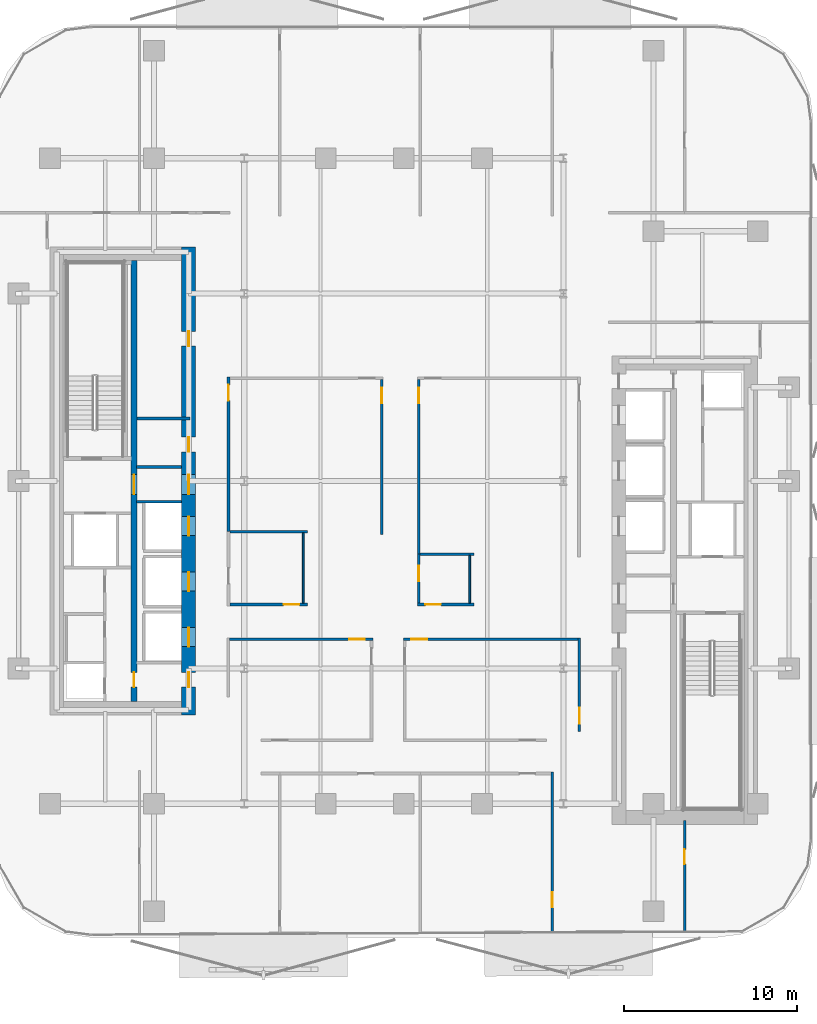
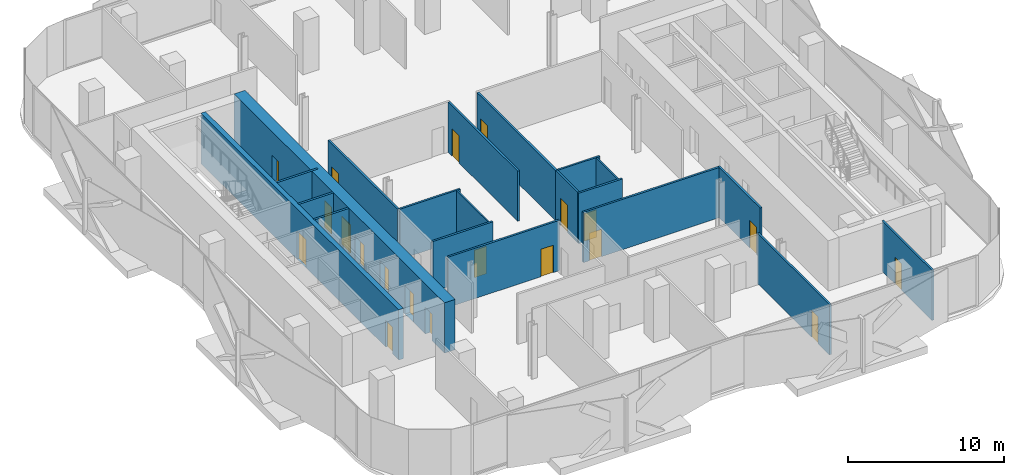
# One storey, part 4 of 15: 20 doors, 20 walls, 20 openings.
"""IFC4 building model written with IfcOpenShell, lengths in metres."""

from ifc_helpers import new_model, si_unit, direction, frame, frame_2d, origin, place, context, subcontext, project, spatial, rectangle, extrude, material, layer, layer_set, type_object, element, fill, save


model = new_model("IFC4")

# Units and contexts
model_context = context("Model", 3, precision=1e-05, world=origin(), true_north=direction((0.0, 1.0)))
body_context = subcontext(model_context, "Body", "Model", "MODEL_VIEW")
ifc_project = project(units=[si_unit("LENGTHUNIT", "METRE"), si_unit("AREAUNIT", "SQUARE_METRE"), si_unit("VOLUMEUNIT", "CUBIC_METRE"), si_unit("PLANEANGLEUNIT", "RADIAN"), si_unit("MASSUNIT", "GRAM", prefix="KILO")], contexts=[model_context])

# Site, building, storey
site_placement = place(None, origin())
site = spatial("IfcSite", under=ifc_project, at=site_placement, CompositionType="ELEMENT")
building_placement = place(site_placement, origin())
building = spatial("IfcBuilding", under=site, at=building_placement, Name="Khairoan Windgate Tower", CompositionType="ELEMENT")
storey_placement = place(building_placement, frame((0.0, 0.0, 135.199951171875)))
storey = spatial("IfcBuildingStorey", under=building, at=storey_placement, Name="L31", CompositionType="ELEMENT", Elevation=135.199951171875)

# Walls
ifc_material_1 = material(Name="Moisture-Resistant Gypsum Partition", Category="gypsum")
ifc_layer_1 = layer(ifc_material_1, 0.10009765625, Name="Moisture-Resistant Gypsum Partition")
ifc_layer_set_1 = layer_set([ifc_layer_1], Name="Moisture-Resistant Gypsum Partition")
wall_type_1 = type_object("IfcWallType", Name="Bathroom Wet-Area Partition Wall", PredefinedType="PARTITIONING", material=ifc_layer_set_1)
wall_1_placement = place(storey_placement, frame((3.800048828125, -4.2900390625, 0.0), z_axis=(0.0, 0.0, 1.0), x_axis=(0.0, -1.0, 0.0)))
element("IfcWall", 1, at=wall_1_placement, inside=storey, type_object=wall_type_1, Name="L31 Wet Room Side Wall 054", PredefinedType="PARTITIONING", context=body_context, shape_type="SweptSolid", body=[
    extrude(rectangle(XDim=2.7548828125, YDim=0.10009765625, at=frame_2d((1.37744140625, 0.0))), origin(), (0.0, 0.0, 1.0), 3.93994140625),
])
wall_2_placement = place(storey_placement, frame((-5.800048828125, -2.989990234375, 0.0), z_axis=(0.0, 0.0, 1.0), x_axis=(0.0, -1.0, 0.0)))
element("IfcWall", 2, at=wall_2_placement, inside=storey, type_object=wall_type_1, Name="L31 Wet Room Side Wall 055", PredefinedType="PARTITIONING", context=body_context, shape_type="SweptSolid", body=[
    extrude(rectangle(XDim=4.054931640625, YDim=0.10009765625, at=frame_2d((2.02734375, 0.0))), origin(), (0.0, 0.0, 1.0), 3.93994140625),
])
ifc_material_2 = material(Name="Concrete C40/50", Category="concrete")
ifc_layer_2 = layer(ifc_material_2, 0.159912109375, Name="Concrete C40/50")
ifc_layer_set_2 = layer_set([ifc_layer_2], Name="Concrete C40/50")
wall_type_2 = type_object("IfcWallType", Name="Core and Hoistway Enclosure Wall", PredefinedType="STANDARD", material=ifc_layer_set_2)
for number, where, z_axis, x_axis, name in (
    (3, (-15.39990234375, 0.800048828125, 0.0), (0.0, 0.0, 1.0), (1.0, 0.0, 0.0), "L31 Core Shaft Wall SW-WV1-L31"),
    (4, (-15.39990234375, -1.199951171875, 0.0), (0.0, 0.0, 1.0), (1.0, 0.0, 0.0), "L31 Core Shaft Wall SW-WV2-L31"),
):
    element("IfcWall", number, at=place(storey_placement, frame(where, z_axis=z_axis, x_axis=x_axis)), inside=storey, type_object=wall_type_2, Name=name, PredefinedType="STANDARD", context=body_context, shape_type="SweptSolid", body=[
        extrude(rectangle(XDim=2.599853515625, YDim=0.159912109375, at=frame_2d((1.2998046875, 0.0))), origin(), (0.0, 0.0, 1.0), 3.93994140625),
    ])

# Wall, opening, door
ifc_material_3 = material(Name="Acoustic Fire-Rated Gypsum Partition", Category="gypsum")
ifc_layer_3 = layer(ifc_material_3, 0.139892578125, Name="Acoustic Fire-Rated Gypsum Partition")
ifc_layer_set_3 = layer_set([ifc_layer_3], Name="Acoustic Fire-Rated Gypsum Partition")
wall_type_3 = type_object("IfcWallType", Name="Inter-Tenancy Compartment Wall", PredefinedType="PARTITIONING", material=ifc_layer_set_3)
wall_3_placement = place(storey_placement, frame((8.568115234375, -26.024658203125, 0.0), z_axis=(0.0, 0.0, 1.0), x_axis=(0.0, 1.0, 0.0)))
wall_3 = element("IfcWall", 5, at=wall_3_placement, inside=storey, type_object=wall_type_3, Name="L31 Interior Partition 049", PredefinedType="PARTITIONING", context=body_context, shape_type="SweptSolid", body=[
    extrude(rectangle(XDim=9.23974609375, YDim=0.139892578125, at=frame_2d((4.619873046875, 0.0))), origin(), (0.0, 0.0, 1.0), 3.93994140625),
])
opening_1_placement = place(wall_3_placement, frame((1.469482421875, 0.0, 0.0)))
opening_1 = element("IfcOpeningElement", 6, at=opening_1_placement, cuts=wall_3, Name="Opening FD-SRV", PredefinedType="OPENING", context=body_context, shape_type="SweptSolid", body=[
    extrude(rectangle(XDim=0.85009765625, YDim=2.10009765625, at=frame_2d((0.425048828125, 1.050048828125))), frame((0.0, 0.079833984375, 0.0), z_axis=(0.0, -1.0, 0.0), x_axis=(1.0, 0.0, 0.0)), (0.0, 0.0, 1.0), 0.159912109375),
])
ifc_material_4 = material(Name="Steel S355", Category="steel")
door_type_1 = type_object("IfcDoorType", Name="Core Service and Riser Fire Door FD-SRV 850x2100", OperationType="NOTDEFINED", PredefinedType="DOOR", material=ifc_material_4)
door_1_placement = place(opening_1_placement, origin())
door_1 = element("IfcDoor", 7, at=door_1_placement, inside=storey, type_object=door_type_1, Name="L31 L31-48-L31-49 Door", OperationType="SINGLE_SWING_LEFT", OverallHeight=2.10009765625, OverallWidth=0.85009765625, PredefinedType="DOOR", context=body_context, shape_type="SweptSolid", body=[
    extrude(rectangle(XDim=0.85009765625, YDim=2.10009765625, at=frame_2d((0.425048828125, 1.050048828125))), frame((0.0, 0.02490234375, 0.0), z_axis=(0.0, -1.0, 0.0), x_axis=(1.0, 0.0, 0.0)), (0.0, 0.0, 1.0), 0.050048828125),
])
fill(opening_1, door_1)

wall_4_placement = place(storey_placement, frame((16.18408203125, -25.9873046875, 0.0), z_axis=(0.0, 0.0, 1.0), x_axis=(0.0, 1.0, 0.0)))
wall_4 = element("IfcWall", 8, at=wall_4_placement, inside=storey, type_object=wall_type_3, Name="L31 Interior Partition 050", PredefinedType="PARTITIONING", context=body_context, shape_type="SweptSolid", body=[
    extrude(rectangle(XDim=6.42724609375, YDim=0.139892578125, at=frame_2d((3.213623046875, 0.0))), origin(), (0.0, 0.0, 1.0), 3.93994140625),
])
opening_2_placement = place(wall_4_placement, frame((3.90234375, 0.0, 0.0)))
opening_2 = element("IfcOpeningElement", 9, at=opening_2_placement, cuts=wall_4, Name="Opening FD-SRV", PredefinedType="OPENING", context=body_context, shape_type="SweptSolid", body=[
    extrude(rectangle(XDim=0.85009765625, YDim=2.10009765625, at=frame_2d((0.425048828125, 1.050048828125))), frame((0.0, 0.079833984375, 0.0), z_axis=(0.0, -1.0, 0.0), x_axis=(1.0, 0.0, 0.0)), (0.0, 0.0, 1.0), 0.159912109375),
])
door_2_placement = place(opening_2_placement, origin())
door_2 = element("IfcDoor", 10, at=door_2_placement, inside=storey, type_object=door_type_1, Name="L31 L31-49-L31-50 Door", OperationType="SINGLE_SWING_LEFT", OverallHeight=2.10009765625, OverallWidth=0.85009765625, PredefinedType="DOOR", context=body_context, shape_type="SweptSolid", body=[
    extrude(rectangle(XDim=0.85009765625, YDim=2.10009765625, at=frame_2d((0.425048828125, 1.050048828125))), frame((0.0, 0.02490234375, 0.0), z_axis=(0.0, -1.0, 0.0), x_axis=(1.0, 0.0, 0.0)), (0.0, 0.0, 1.0), 0.050048828125),
])
fill(opening_2, door_2)

# Walls
wall_5_placement = place(storey_placement, frame((0.929931640625, -4.219970703125, 0.0), z_axis=(0.0, 0.0, 1.0), x_axis=(1.0, 0.0, 0.0)))
element("IfcWall", 11, at=wall_5_placement, inside=storey, type_object=wall_type_3, Name="L31 Interior Partition 051", PredefinedType="PARTITIONING", context=body_context, shape_type="SweptSolid", body=[
    extrude(rectangle(XDim=3.110107421875, YDim=0.139892578125, at=frame_2d((1.55517578125, 0.0))), origin(), (0.0, 0.0, 1.0), 3.93994140625),
])
wall_6_placement = place(storey_placement, frame((-10.02490234375, -2.919921875, 0.0), z_axis=(0.0, 0.0, 1.0), x_axis=(1.0, 0.0, 0.0)))
element("IfcWall", 12, at=wall_6_placement, inside=storey, type_object=wall_type_3, Name="L31 Interior Partition 052", PredefinedType="PARTITIONING", context=body_context, shape_type="SweptSolid", body=[
    extrude(rectangle(XDim=4.46484375, YDim=0.139892578125, at=frame_2d((2.232421875, 0.0))), origin(), (0.0, 0.0, 1.0), 3.93994140625),
])
ifc_material_5 = material(Name="Concrete C40/50", Category="concrete")
ifc_layer_4 = layer(ifc_material_5, 0.159912109375, Name="Concrete C40/50")
ifc_layer_set_4 = layer_set([ifc_layer_4], Name="Concrete C40/50")
wall_type_4 = type_object("IfcWallType", Name="Plant and Refuge Compartment Wall", PredefinedType="PARTITIONING", material=ifc_layer_set_4)
wall_7_placement = place(storey_placement, frame((-15.375, 3.60009765625, 0.0), z_axis=(0.0, 0.0, 1.0), x_axis=(1.0, 0.0, 0.0)))
element("IfcWall", 13, at=wall_7_placement, inside=storey, type_object=wall_type_4, Name="L31 Interior Partition 006", PredefinedType="PARTITIONING", context=body_context, shape_type="SweptSolid", body=[
    extrude(rectangle(XDim=3.06494140625, YDim=0.159912109375, at=frame_2d((1.532470703125, 0.0))), origin(), (0.0, 0.0, 1.0), 3.93994140625),
])

# Wall, opening, door
ifc_material_6 = material(Name="Acoustic Fire-Rated Gypsum Partition", Category="gypsum")
ifc_layer_5 = layer(ifc_material_6, 0.14990234375, Name="Acoustic Fire-Rated Gypsum Partition")
ifc_layer_set_5 = layer_set([ifc_layer_5], Name="Acoustic Fire-Rated Gypsum Partition")
wall_type_5 = type_object("IfcWallType", Name="Rated Corridor Partition Wall", PredefinedType="PARTITIONING", material=ifc_layer_set_5)
wall_8_placement = place(storey_placement, frame((-10.10009765625, -2.919921875, 0.0), z_axis=(0.0, 0.0, 1.0), x_axis=(0.0, 1.0, 0.0)))
wall_8 = element("IfcWall", 14, at=wall_8_placement, inside=storey, type_object=wall_type_5, Name="L31 Interior Partition 012", PredefinedType="PARTITIONING", context=body_context, shape_type="SweptSolid", body=[
    extrude(rectangle(XDim=8.9150390625, YDim=0.14990234375, at=frame_2d((4.45751953125, 0.0))), origin(), (0.0, 0.0, 1.0), 3.93994140625),
])
opening_3_placement = place(wall_8_placement, frame((7.554931640625, 0.0, 0.0)))
opening_3 = element("IfcOpeningElement", 15, at=opening_3_placement, cuts=wall_8, Name="Opening FD-ENT", PredefinedType="OPENING", context=body_context, shape_type="SweptSolid", body=[
    extrude(rectangle(XDim=0.89990234375, YDim=2.14990234375, at=frame_2d((0.449951171875, 1.074951171875))), frame((0.0, 0.0849609375, 0.0), z_axis=(0.0, -1.0, 0.0), x_axis=(1.0, 0.0, 0.0)), (0.0, 0.0, 1.0), 0.169921875),
])
ifc_material_7 = material(Name="Timber Fire-Rated Core", Category="wood")
door_type_2 = type_object("IfcDoorType", Name="Unit and Office Fire Entrance Door FD-ENT 900x2150", OperationType="NOTDEFINED", PredefinedType="DOOR", material=ifc_material_7)
door_3_placement = place(opening_3_placement, origin())
door_3 = element("IfcDoor", 16, at=door_3_placement, inside=storey, type_object=door_type_2, Name="L31 L31-27-L31-54 Door", OperationType="SINGLE_SWING_RIGHT", OverallHeight=2.14990234375, OverallWidth=0.89990234375, PredefinedType="DOOR", context=body_context, shape_type="SweptSolid", body=[
    extrude(rectangle(XDim=0.89990234375, YDim=2.14990234375, at=frame_2d((0.449951171875, 1.074951171875))), frame((0.0, 0.02490234375, 0.0), z_axis=(0.0, -1.0, 0.0), x_axis=(1.0, 0.0, 0.0)), (0.0, 0.0, 1.0), 0.050048828125),
])
fill(opening_3, door_3)

wall_9_placement = place(storey_placement, frame((10.125, -14.43994140625, 0.0), z_axis=(0.0, 0.0, 1.0), x_axis=(0.0, 1.0, 0.0)))
wall_9 = element("IfcWall", 17, at=wall_9_placement, inside=storey, type_object=wall_type_5, Name="L31 Interior Partition 015", PredefinedType="PARTITIONING", context=body_context, shape_type="SweptSolid", body=[
    extrude(rectangle(XDim=5.39990234375, YDim=0.14990234375, at=frame_2d((2.699951171875, 0.0))), origin(), (0.0, 0.0, 1.0), 3.93994140625),
])
opening_4_placement = place(wall_9_placement, frame((0.4599609375, 0.0, 0.0)))
opening_4 = element("IfcOpeningElement", 18, at=opening_4_placement, cuts=wall_9, Name="Opening FD-ENT", PredefinedType="OPENING", context=body_context, shape_type="SweptSolid", body=[
    extrude(rectangle(XDim=0.89990234375, YDim=2.14990234375, at=frame_2d((0.449951171875, 1.074951171875))), frame((0.0, 0.0849609375, 0.0), z_axis=(0.0, -1.0, 0.0), x_axis=(1.0, 0.0, 0.0)), (0.0, 0.0, 1.0), 0.169921875),
])
door_4_placement = place(opening_4_placement, origin())
door_4 = element("IfcDoor", 19, at=door_4_placement, inside=storey, type_object=door_type_2, Name="L31 L31-28-L31-56 Door", OperationType="SINGLE_SWING_LEFT", OverallHeight=2.14990234375, OverallWidth=0.89990234375, PredefinedType="DOOR", context=body_context, shape_type="SweptSolid", body=[
    extrude(rectangle(XDim=0.89990234375, YDim=2.14990234375, at=frame_2d((0.449951171875, 1.074951171875))), frame((0.0, 0.02490234375, 0.0), z_axis=(0.0, -1.0, 0.0), x_axis=(1.0, 0.0, 0.0)), (0.0, 0.0, 1.0), 0.050048828125),
])
fill(opening_4, door_4)

wall_10_placement = place(storey_placement, frame((0.780029296875, -7.1201171875, 0.0), z_axis=(0.0, 0.0, 1.0), x_axis=(1.0, 0.0, 0.0)))
wall_10 = element("IfcWall", 20, at=wall_10_placement, inside=storey, type_object=wall_type_5, Name="L31 Interior Partition 018", PredefinedType="PARTITIONING", context=body_context, shape_type="SweptSolid", body=[
    extrude(rectangle(XDim=3.260009765625, YDim=0.14990234375, at=frame_2d((1.6298828125, 0.0))), origin(), (0.0, 0.0, 1.0), 3.93994140625),
])
opening_5_placement = place(wall_10_placement, frame((0.4599609375, 0.0, 0.0)))
opening_5 = element("IfcOpeningElement", 21, at=opening_5_placement, cuts=wall_10, Name="Opening FD-ENT", PredefinedType="OPENING", context=body_context, shape_type="SweptSolid", body=[
    extrude(rectangle(XDim=0.89990234375, YDim=2.14990234375, at=frame_2d((0.449951171875, 1.074951171875))), frame((0.0, 0.0849609375, 0.0), z_axis=(0.0, -1.0, 0.0), x_axis=(1.0, 0.0, 0.0)), (0.0, 0.0, 1.0), 0.169921875),
])
door_5_placement = place(opening_5_placement, origin())
door_5 = element("IfcDoor", 22, at=door_5_placement, inside=storey, type_object=door_type_2, Name="L31 L31-30-L31-51 Door", OperationType="SINGLE_SWING_RIGHT", OverallHeight=2.14990234375, OverallWidth=0.89990234375, PredefinedType="DOOR", context=body_context, shape_type="SweptSolid", body=[
    extrude(rectangle(XDim=0.89990234375, YDim=2.14990234375, at=frame_2d((0.449951171875, 1.074951171875))), frame((0.0, 0.02490234375, 0.0), z_axis=(0.0, -1.0, 0.0), x_axis=(1.0, 0.0, 0.0)), (0.0, 0.0, 1.0), 0.050048828125),
])
fill(opening_5, door_5)

wall_11_placement = place(storey_placement, frame((-10.02490234375, -7.1201171875, 0.0), z_axis=(0.0, 0.0, 1.0), x_axis=(1.0, 0.0, 0.0)))
wall_11 = element("IfcWall", 23, at=wall_11_placement, inside=storey, type_object=wall_type_5, Name="L31 Interior Partition 019", PredefinedType="PARTITIONING", context=body_context, shape_type="SweptSolid", body=[
    extrude(rectangle(XDim=4.46484375, YDim=0.14990234375, at=frame_2d((2.232421875, 0.0))), origin(), (0.0, 0.0, 1.0), 3.93994140625),
])
opening_6_placement = place(wall_11_placement, frame((3.10498046875, 0.0, 0.0)))
opening_6 = element("IfcOpeningElement", 24, at=opening_6_placement, cuts=wall_11, Name="Opening FD-ENT", PredefinedType="OPENING", context=body_context, shape_type="SweptSolid", body=[
    extrude(rectangle(XDim=0.89990234375, YDim=2.14990234375, at=frame_2d((0.449951171875, 1.074951171875))), frame((0.0, 0.0849609375, 0.0), z_axis=(0.0, -1.0, 0.0), x_axis=(1.0, 0.0, 0.0)), (0.0, 0.0, 1.0), 0.169921875),
])
door_6_placement = place(opening_6_placement, origin())
door_6 = element("IfcDoor", 25, at=door_6_placement, inside=storey, type_object=door_type_2, Name="L31 L31-30-L31-53 Door", OperationType="SINGLE_SWING_LEFT", OverallHeight=2.14990234375, OverallWidth=0.89990234375, PredefinedType="DOOR", context=body_context, shape_type="SweptSolid", body=[
    extrude(rectangle(XDim=0.89990234375, YDim=2.14990234375, at=frame_2d((0.449951171875, 1.074951171875))), frame((0.0, 0.02490234375, 0.0), z_axis=(0.0, -1.0, 0.0), x_axis=(1.0, 0.0, 0.0)), (0.0, 0.0, 1.0), 0.050048828125),
])
fill(opening_6, door_6)

wall_12_placement = place(storey_placement, frame((-10.050048828125, -9.114990234375, 0.0), z_axis=(0.0, 0.0, 1.0), x_axis=(1.0, 0.0, 0.0)))
wall_12 = element("IfcWall", 26, at=wall_12_placement, inside=storey, type_object=wall_type_5, Name="L31 Interior Partition 020", PredefinedType="PARTITIONING", context=body_context, shape_type="SweptSolid", body=[
    extrude(rectangle(XDim=8.26513671875, YDim=0.14990234375, at=frame_2d((4.132568359375, 0.0))), origin(), (0.0, 0.0, 1.0), 3.93994140625),
])
opening_7_placement = place(wall_12_placement, frame((6.905029296875, 0.0, 0.0)))
opening_7 = element("IfcOpeningElement", 27, at=opening_7_placement, cuts=wall_12, Name="Opening FD-ENT", PredefinedType="OPENING", context=body_context, shape_type="SweptSolid", body=[
    extrude(rectangle(XDim=0.89990234375, YDim=2.14990234375, at=frame_2d((0.449951171875, 1.074951171875))), frame((0.0, 0.0849609375, 0.0), z_axis=(0.0, -1.0, 0.0), x_axis=(1.0, 0.0, 0.0)), (0.0, 0.0, 1.0), 0.169921875),
])
door_7_placement = place(opening_7_placement, origin())
door_7 = element("IfcDoor", 28, at=door_7_placement, inside=storey, type_object=door_type_2, Name="L31 L31-30-L31-55 Door", OperationType="SINGLE_SWING_RIGHT", OverallHeight=2.14990234375, OverallWidth=0.89990234375, PredefinedType="DOOR", context=body_context, shape_type="SweptSolid", body=[
    extrude(rectangle(XDim=0.89990234375, YDim=2.14990234375, at=frame_2d((0.449951171875, 1.074951171875))), frame((0.0, 0.02490234375, 0.0), z_axis=(0.0, -1.0, 0.0), x_axis=(1.0, 0.0, 0.0)), (0.0, 0.0, 1.0), 0.050048828125),
])
fill(opening_7, door_7)

wall_13_placement = place(storey_placement, frame((-0.014892578125, -9.114990234375, 0.0), z_axis=(0.0, 0.0, 1.0), x_axis=(1.0, 0.0, 0.0)))
wall_13 = element("IfcWall", 29, at=wall_13_placement, inside=storey, type_object=wall_type_5, Name="L31 Interior Partition 021", PredefinedType="PARTITIONING", context=body_context, shape_type="SweptSolid", body=[
    extrude(rectangle(XDim=10.06494140625, YDim=0.14990234375, at=frame_2d((5.032470703125, 0.0))), origin(), (0.0, 0.0, 1.0), 3.93994140625),
])
opening_8_placement = place(wall_13_placement, frame((0.4599609375, 0.0, 0.0)))
opening_8 = element("IfcOpeningElement", 30, at=opening_8_placement, cuts=wall_13, Name="Opening FD-ENT", PredefinedType="OPENING", context=body_context, shape_type="SweptSolid", body=[
    extrude(rectangle(XDim=0.89990234375, YDim=2.14990234375, at=frame_2d((0.449951171875, 1.074951171875))), frame((0.0, 0.0849609375, 0.0), z_axis=(0.0, -1.0, 0.0), x_axis=(1.0, 0.0, 0.0)), (0.0, 0.0, 1.0), 0.169921875),
])
door_8_placement = place(opening_8_placement, origin())
door_8 = element("IfcDoor", 31, at=door_8_placement, inside=storey, type_object=door_type_2, Name="L31 L31-30-L31-56 Door", OperationType="SINGLE_SWING_LEFT", OverallHeight=2.14990234375, OverallWidth=0.89990234375, PredefinedType="DOOR", context=body_context, shape_type="SweptSolid", body=[
    extrude(rectangle(XDim=0.89990234375, YDim=2.14990234375, at=frame_2d((0.449951171875, 1.074951171875))), frame((0.0, 0.02490234375, 0.0), z_axis=(0.0, -1.0, 0.0), x_axis=(1.0, 0.0, 0.0)), (0.0, 0.0, 1.0), 0.050048828125),
])
fill(opening_8, door_8)

wall_14_placement = place(storey_placement, frame((0.85498046875, -7.044921875, 0.0), z_axis=(0.0, 0.0, 1.0), x_axis=(0.0, 1.0, 0.0)))
wall_14 = element("IfcWall", 32, at=wall_14_placement, inside=storey, type_object=wall_type_5, Name="L31 Interior Partition 022", PredefinedType="PARTITIONING", context=body_context, shape_type="SweptSolid", body=[
    extrude(rectangle(XDim=2.824951171875, YDim=0.14990234375, at=frame_2d((1.41259765625, 0.0))), origin(), (0.0, 0.0, 1.0), 3.93994140625),
])
opening_9_placement = place(wall_14_placement, frame((1.263916015625, 0.0, 0.0)))
opening_9 = element("IfcOpeningElement", 33, at=opening_9_placement, cuts=wall_14, Name="Opening FD-ENT", PredefinedType="OPENING", context=body_context, shape_type="SweptSolid", body=[
    extrude(rectangle(XDim=0.89990234375, YDim=2.14990234375, at=frame_2d((0.449951171875, 1.074951171875))), frame((0.0, 0.0849609375, 0.0), z_axis=(0.0, -1.0, 0.0), x_axis=(1.0, 0.0, 0.0)), (0.0, 0.0, 1.0), 0.169921875),
])
door_9_placement = place(opening_9_placement, origin())
door_9 = element("IfcDoor", 34, at=door_9_placement, inside=storey, type_object=door_type_2, Name="L31 L31-31-L31-51 Door", OperationType="SINGLE_SWING_RIGHT", OverallHeight=2.14990234375, OverallWidth=0.89990234375, PredefinedType="DOOR", context=body_context, shape_type="SweptSolid", body=[
    extrude(rectangle(XDim=0.89990234375, YDim=2.14990234375, at=frame_2d((0.449951171875, 1.074951171875))), frame((0.0, 0.02490234375, 0.0), z_axis=(0.0, -1.0, 0.0), x_axis=(1.0, 0.0, 0.0)), (0.0, 0.0, 1.0), 0.050048828125),
])
fill(opening_9, door_9)

wall_15_placement = place(storey_placement, frame((0.85498046875, -4.219970703125, 0.0), z_axis=(0.0, 0.0, 1.0), x_axis=(0.0, 1.0, 0.0)))
wall_15 = element("IfcWall", 35, at=wall_15_placement, inside=storey, type_object=wall_type_5, Name="L31 Interior Partition 023", PredefinedType="PARTITIONING", context=body_context, shape_type="SweptSolid", body=[
    extrude(rectangle(XDim=10.06494140625, YDim=0.14990234375, at=frame_2d((5.032470703125, 0.0))), origin(), (0.0, 0.0, 1.0), 3.93994140625),
])
opening_10_placement = place(wall_15_placement, frame((8.705078125, 0.0, 0.0)))
opening_10 = element("IfcOpeningElement", 36, at=opening_10_placement, cuts=wall_15, Name="Opening FD-ENT", PredefinedType="OPENING", context=body_context, shape_type="SweptSolid", body=[
    extrude(rectangle(XDim=0.89990234375, YDim=2.14990234375, at=frame_2d((0.449951171875, 1.074951171875))), frame((0.0, 0.0849609375, 0.0), z_axis=(0.0, -1.0, 0.0), x_axis=(1.0, 0.0, 0.0)), (0.0, 0.0, 1.0), 0.169921875),
])
door_10_placement = place(opening_10_placement, origin())
door_10 = element("IfcDoor", 37, at=door_10_placement, inside=storey, type_object=door_type_2, Name="L31 L31-31-L31-52 Door", OperationType="SINGLE_SWING_LEFT", OverallHeight=2.14990234375, OverallWidth=0.89990234375, PredefinedType="DOOR", context=body_context, shape_type="SweptSolid", body=[
    extrude(rectangle(XDim=0.89990234375, YDim=2.14990234375, at=frame_2d((0.449951171875, 1.074951171875))), frame((0.0, 0.02490234375, 0.0), z_axis=(0.0, -1.0, 0.0), x_axis=(1.0, 0.0, 0.0)), (0.0, 0.0, 1.0), 0.050048828125),
])
fill(opening_10, door_10)

wall_16_placement = place(storey_placement, frame((-1.280029296875, -3.080078125, 0.0), z_axis=(0.0, 0.0, 1.0), x_axis=(0.0, 1.0, 0.0)))
wall_16 = element("IfcWall", 38, at=wall_16_placement, inside=storey, type_object=wall_type_5, Name="L31 Interior Partition 024", PredefinedType="PARTITIONING", context=body_context, shape_type="SweptSolid", body=[
    extrude(rectangle(XDim=8.925048828125, YDim=0.14990234375, at=frame_2d((4.46240234375, 0.0))), origin(), (0.0, 0.0, 1.0), 3.93994140625),
])
opening_11_placement = place(wall_16_placement, frame((7.56494140625, 0.0, 0.0)))
opening_11 = element("IfcOpeningElement", 39, at=opening_11_placement, cuts=wall_16, Name="Opening FD-ENT", PredefinedType="OPENING", context=body_context, shape_type="SweptSolid", body=[
    extrude(rectangle(XDim=0.89990234375, YDim=2.14990234375, at=frame_2d((0.449951171875, 1.074951171875))), frame((0.0, 0.0849609375, 0.0), z_axis=(0.0, -1.0, 0.0), x_axis=(1.0, 0.0, 0.0)), (0.0, 0.0, 1.0), 0.169921875),
])
door_11_placement = place(opening_11_placement, origin())
door_11 = element("IfcDoor", 40, at=door_11_placement, inside=storey, type_object=door_type_2, Name="L31 L31-31-L31-54 Door", OperationType="SINGLE_SWING_RIGHT", OverallHeight=2.14990234375, OverallWidth=0.89990234375, PredefinedType="DOOR", context=body_context, shape_type="SweptSolid", body=[
    extrude(rectangle(XDim=0.89990234375, YDim=2.14990234375, at=frame_2d((0.449951171875, 1.074951171875))), frame((0.0, 0.02490234375, 0.0), z_axis=(0.0, -1.0, 0.0), x_axis=(1.0, 0.0, 0.0)), (0.0, 0.0, 1.0), 0.050048828125),
])
fill(opening_11, door_11)

# Wall, openings, doors
ifc_material_8 = material(Name="Concrete C70/85", Category="concrete")
ifc_layer_6 = layer(ifc_material_8, 0.800048828125, Name="Concrete C70/85")
ifc_layer_set_6 = layer_set([ifc_layer_6], Name="Concrete C70/85")
wall_type_6 = type_object("IfcWallType", Name="Shear Wall CW-W1 800mm", PredefinedType="SHEAR", material=ifc_layer_set_6)
wall_17_placement = place(storey_placement, frame((-12.39990234375, -13.5, 0.0), z_axis=(0.0, 0.0, 1.0), x_axis=(0.0, 1.0, 0.0)))
wall_17 = element("IfcWall", 41, at=wall_17_placement, inside=storey, type_object=wall_type_6, Name="W Core East Shear Wall L31", PredefinedType="SHEAR", context=body_context, shape_type="SweptSolid", body=[
    extrude(rectangle(XDim=27.0, YDim=0.800048828125, at=frame_2d((13.5, 0.0))), origin(), (0.0, 0.0, 1.0), 3.93994140625),
])
opening_12_placement = place(wall_17_placement, frame((10.35009765625, 0.0, 0.0)))
opening_12 = element("IfcOpeningElement", 42, at=opening_12_placement, cuts=wall_17, Name="Opening LD-PL", PredefinedType="OPENING", context=body_context, shape_type="SweptSolid", body=[
    extrude(rectangle(XDim=1.10009765625, YDim=2.199951171875, at=frame_2d((0.550048828125, 1.10009765625))), frame((0.0, 0.409912109375, 0.0), z_axis=(0.0, -1.0, 0.0), x_axis=(1.0, 0.0, 0.0)), (0.0, 0.0, 1.0), 0.820068359375),
])
opening_13_placement = place(wall_17_placement, frame((7.14990234375, 0.0, 0.0)))
opening_13 = element("IfcOpeningElement", 43, at=opening_13_placement, cuts=wall_17, Name="Opening LD-PL", PredefinedType="OPENING", context=body_context, shape_type="SweptSolid", body=[
    extrude(rectangle(XDim=1.10009765625, YDim=2.199951171875, at=frame_2d((0.550048828125, 1.10009765625))), frame((0.0, 0.409912109375, 0.0), z_axis=(0.0, -1.0, 0.0), x_axis=(1.0, 0.0, 0.0)), (0.0, 0.0, 1.0), 0.820068359375),
])
opening_14_placement = place(wall_17_placement, frame((3.949951171875, 0.0, 0.0)))
opening_14 = element("IfcOpeningElement", 44, at=opening_14_placement, cuts=wall_17, Name="Opening LD-PL", PredefinedType="OPENING", context=body_context, shape_type="SweptSolid", body=[
    extrude(rectangle(XDim=1.10009765625, YDim=2.199951171875, at=frame_2d((0.550048828125, 1.10009765625))), frame((0.0, 0.409912109375, 0.0), z_axis=(0.0, -1.0, 0.0), x_axis=(1.0, 0.0, 0.0)), (0.0, 0.0, 1.0), 0.820068359375),
])
opening_15_placement = place(wall_17_placement, frame((15.175048828125, 0.0, 0.0)))
opening_15 = element("IfcOpeningElement", 45, at=opening_15_placement, cuts=wall_17, Name="Opening FD-SRV", PredefinedType="OPENING", context=body_context, shape_type="SweptSolid", body=[
    extrude(rectangle(XDim=0.85009765625, YDim=2.10009765625, at=frame_2d((0.425048828125, 1.050048828125))), frame((0.0, 0.409912109375, 0.0), z_axis=(0.0, -1.0, 0.0), x_axis=(1.0, 0.0, 0.0)), (0.0, 0.0, 1.0), 0.820068359375),
])
opening_16_placement = place(wall_17_placement, frame((21.27490234375, 0.0, 0.0)))
opening_16 = element("IfcOpeningElement", 46, at=opening_16_placement, cuts=wall_17, Name="Opening FD-SRV", PredefinedType="OPENING", context=body_context, shape_type="SweptSolid", body=[
    extrude(rectangle(XDim=0.85009765625, YDim=2.10009765625, at=frame_2d((0.425048828125, 1.050048828125))), frame((0.0, 0.409912109375, 0.0), z_axis=(0.0, -1.0, 0.0), x_axis=(1.0, 0.0, 0.0)), (0.0, 0.0, 1.0), 0.820068359375),
])
opening_17_placement = place(wall_17_placement, frame((12.72509765625, 0.0, 0.0)))
opening_17 = element("IfcOpeningElement", 47, at=opening_17_placement, cuts=wall_17, Name="Opening FD-FFL", PredefinedType="OPENING", context=body_context, shape_type="SweptSolid", body=[
    extrude(rectangle(XDim=1.14990234375, YDim=2.199951171875, at=frame_2d((0.574951171875, 1.10009765625))), frame((0.0, 0.409912109375, 0.0), z_axis=(0.0, -1.0, 0.0), x_axis=(1.0, 0.0, 0.0)), (0.0, 0.0, 1.0), 0.820068359375),
])
opening_18_placement = place(wall_17_placement, frame((1.625, 0.0, 0.0)))
opening_18 = element("IfcOpeningElement", 48, at=opening_18_placement, cuts=wall_17, Name="Opening FD-SRV", PredefinedType="OPENING", context=body_context, shape_type="SweptSolid", body=[
    extrude(rectangle(XDim=0.85009765625, YDim=2.10009765625, at=frame_2d((0.425048828125, 1.050048828125))), frame((0.0, 0.409912109375, 0.0), z_axis=(0.0, -1.0, 0.0), x_axis=(1.0, 0.0, 0.0)), (0.0, 0.0, 1.0), 0.820068359375),
])
door_12_placement = place(opening_15_placement, origin())
door_12 = element("IfcDoor", 49, at=door_12_placement, inside=storey, type_object=door_type_1, Name="L31 Upper Core Room Door B1-1", OperationType="SINGLE_SWING_RIGHT", OverallHeight=2.10009765625, OverallWidth=0.85009765625, PredefinedType="DOOR", context=body_context, shape_type="SweptSolid", body=[
    extrude(rectangle(XDim=0.85009765625, YDim=2.10009765625, at=frame_2d((0.425048828125, 1.050048828125))), frame((0.0, 0.02490234375, 0.0), z_axis=(0.0, -1.0, 0.0), x_axis=(1.0, 0.0, 0.0)), (0.0, 0.0, 1.0), 0.050048828125),
])
fill(opening_15, door_12)
door_13_placement = place(opening_16_placement, origin())
door_13 = element("IfcDoor", 50, at=door_13_placement, inside=storey, type_object=door_type_1, Name="L31 Upper Core Room Door B1-2", OperationType="SINGLE_SWING_LEFT", OverallHeight=2.10009765625, OverallWidth=0.85009765625, PredefinedType="DOOR", context=body_context, shape_type="SweptSolid", body=[
    extrude(rectangle(XDim=0.85009765625, YDim=2.10009765625, at=frame_2d((0.425048828125, 1.050048828125))), frame((0.0, 0.02490234375, 0.0), z_axis=(0.0, -1.0, 0.0), x_axis=(1.0, 0.0, 0.0)), (0.0, 0.0, 1.0), 0.050048828125),
])
fill(opening_16, door_13)
door_14_placement = place(opening_18_placement, origin())
door_14 = element("IfcDoor", 51, at=door_14_placement, inside=storey, type_object=door_type_1, Name="L31 West Core Service Vestibule Outer Door", OperationType="SINGLE_SWING_LEFT", OverallHeight=2.10009765625, OverallWidth=0.85009765625, PredefinedType="DOOR", context=body_context, shape_type="SweptSolid", body=[
    extrude(rectangle(XDim=0.85009765625, YDim=2.10009765625, at=frame_2d((0.425048828125, 1.050048828125))), frame((0.0, 0.02490234375, 0.0), z_axis=(0.0, -1.0, 0.0), x_axis=(1.0, 0.0, 0.0)), (0.0, 0.0, 1.0), 0.050048828125),
])
fill(opening_18, door_14)
ifc_material_9 = material(Name="Steel S355", Category="steel")
door_type_3 = type_object("IfcDoorType", Name="Firefighting Lobby Fire Door FD-FFL 1150x2200", OperationType="NOTDEFINED", PredefinedType="DOOR", material=ifc_material_9)
door_15_placement = place(opening_17_placement, origin())
door_15 = element("IfcDoor", 52, at=door_15_placement, inside=storey, type_object=door_type_3, Name="L31 West Core Vestibule Entry Door", OperationType="SINGLE_SWING_LEFT", OverallHeight=2.199951171875, OverallWidth=1.14990234375, PredefinedType="DOOR", context=body_context, shape_type="SweptSolid", body=[
    extrude(rectangle(XDim=1.14990234375, YDim=2.199951171875, at=frame_2d((0.574951171875, 1.10009765625))), frame((0.0, 0.02490234375, 0.0), z_axis=(0.0, -1.0, 0.0), x_axis=(1.0, 0.0, 0.0)), (0.0, 0.0, 1.0), 0.050048828125),
])
fill(opening_17, door_15)
ifc_material_10 = material(Name="Anodised Bronze Aluminium 6063-T6", Category="aluminium")
door_type_4 = type_object("IfcDoorType", Name="Passenger Lift Sliding Landing Door LD-PL 1100x2200", OperationType="DOUBLE_DOOR_SLIDING", PredefinedType="DOOR", material=ifc_material_10)
door_16_placement = place(opening_12_placement, origin())
door_16 = element("IfcDoor", 53, at=door_16_placement, inside=storey, type_object=door_type_4, Name="L31 Lift PL4 Sliding Landing Door", OperationType="DOUBLE_DOOR_SLIDING", OverallHeight=2.199951171875, OverallWidth=1.10009765625, PredefinedType="DOOR", context=body_context, shape_type="SweptSolid", body=[
    extrude(rectangle(XDim=1.10009765625, YDim=2.199951171875, at=frame_2d((0.550048828125, 1.10009765625))), frame((0.0, 0.02490234375, 0.0), z_axis=(0.0, -1.0, 0.0), x_axis=(1.0, 0.0, 0.0)), (0.0, 0.0, 1.0), 0.050048828125),
])
fill(opening_12, door_16)
door_17_placement = place(opening_13_placement, origin())
door_17 = element("IfcDoor", 54, at=door_17_placement, inside=storey, type_object=door_type_4, Name="L31 Lift PL5 Sliding Landing Door", OperationType="DOUBLE_DOOR_SLIDING", OverallHeight=2.199951171875, OverallWidth=1.10009765625, PredefinedType="DOOR", context=body_context, shape_type="SweptSolid", body=[
    extrude(rectangle(XDim=1.10009765625, YDim=2.199951171875, at=frame_2d((0.550048828125, 1.10009765625))), frame((0.0, 0.02490234375, 0.0), z_axis=(0.0, -1.0, 0.0), x_axis=(1.0, 0.0, 0.0)), (0.0, 0.0, 1.0), 0.050048828125),
])
fill(opening_13, door_17)
door_18_placement = place(opening_14_placement, origin())
door_18 = element("IfcDoor", 55, at=door_18_placement, inside=storey, type_object=door_type_4, Name="L31 Lift PL6 Sliding Landing Door", OperationType="DOUBLE_DOOR_SLIDING", OverallHeight=2.199951171875, OverallWidth=1.10009765625, PredefinedType="DOOR", context=body_context, shape_type="SweptSolid", body=[
    extrude(rectangle(XDim=1.10009765625, YDim=2.199951171875, at=frame_2d((0.550048828125, 1.10009765625))), frame((0.0, 0.02490234375, 0.0), z_axis=(0.0, -1.0, 0.0), x_axis=(1.0, 0.0, 0.0)), (0.0, 0.0, 1.0), 0.050048828125),
])
fill(opening_14, door_18)

ifc_material_11 = material(Name="Concrete C60/75", Category="concrete")
ifc_layer_7 = layer(ifc_material_11, 0.35009765625, Name="Concrete C60/75")
ifc_layer_set_7 = layer_set([ifc_layer_7], Name="Concrete C60/75")
wall_type_7 = type_object("IfcWallType", Name="Shear Wall SW-1 350mm", PredefinedType="SHEAR", material=ifc_layer_set_7)
wall_18_placement = place(storey_placement, frame((-15.550048828125, -12.699951171875, 0.0), z_axis=(0.0, 0.0, 1.0), x_axis=(0.0, 1.0, 0.0)))
wall_18 = element("IfcWall", 56, at=wall_18_placement, inside=storey, type_object=wall_type_7, Name="W Core Spine Shear Wall L31", PredefinedType="SHEAR", context=body_context, shape_type="SweptSolid", body=[
    extrude(rectangle(XDim=25.39990234375, YDim=0.35009765625, at=frame_2d((12.699951171875, 0.0))), origin(), (0.0, 0.0, 1.0), 3.93994140625),
])
opening_19_placement = place(wall_18_placement, frame((11.925048828125, 0.0, 0.0)))
opening_19 = element("IfcOpeningElement", 57, at=opening_19_placement, cuts=wall_18, Name="Opening FD-FFL", PredefinedType="OPENING", context=body_context, shape_type="SweptSolid", body=[
    extrude(rectangle(XDim=1.14990234375, YDim=2.199951171875, at=frame_2d((0.574951171875, 1.10009765625))), frame((0.0, 0.18505859375, 0.0), z_axis=(0.0, -1.0, 0.0), x_axis=(1.0, 0.0, 0.0)), (0.0, 0.0, 1.0), 0.3701171875),
])
opening_20_placement = place(wall_18_placement, frame((0.824951171875, 0.0, 0.0)))
opening_20 = element("IfcOpeningElement", 58, at=opening_20_placement, cuts=wall_18, Name="Opening FD-SRV", PredefinedType="OPENING", context=body_context, shape_type="SweptSolid", body=[
    extrude(rectangle(XDim=0.85009765625, YDim=2.10009765625, at=frame_2d((0.425048828125, 1.050048828125))), frame((0.0, 0.18505859375, 0.0), z_axis=(0.0, -1.0, 0.0), x_axis=(1.0, 0.0, 0.0)), (0.0, 0.0, 1.0), 0.3701171875),
])
door_19_placement = place(opening_20_placement, origin())
door_19 = element("IfcDoor", 59, at=door_19_placement, inside=storey, type_object=door_type_1, Name="L31 West Core Service Passage Inner Door", OperationType="SINGLE_SWING_RIGHT", OverallHeight=2.10009765625, OverallWidth=0.85009765625, PredefinedType="DOOR", context=body_context, shape_type="SweptSolid", body=[
    extrude(rectangle(XDim=0.85009765625, YDim=2.10009765625, at=frame_2d((0.425048828125, 1.050048828125))), frame((0.0, 0.02490234375, 0.0), z_axis=(0.0, -1.0, 0.0), x_axis=(1.0, 0.0, 0.0)), (0.0, 0.0, 1.0), 0.050048828125),
])
fill(opening_20, door_19)
door_20_placement = place(opening_19_placement, origin())
door_20 = element("IfcDoor", 60, at=door_20_placement, inside=storey, type_object=door_type_3, Name="L31 West Firefighting Lobby Fire Door", OperationType="SINGLE_SWING_RIGHT", OverallHeight=2.199951171875, OverallWidth=1.14990234375, PredefinedType="DOOR", context=body_context, shape_type="SweptSolid", body=[
    extrude(rectangle(XDim=1.14990234375, YDim=2.199951171875, at=frame_2d((0.574951171875, 1.10009765625))), frame((0.0, 0.02490234375, 0.0), z_axis=(0.0, -1.0, 0.0), x_axis=(1.0, 0.0, 0.0)), (0.0, 0.0, 1.0), 0.050048828125),
])
fill(opening_19, door_20)

save(model, "model.ifc")
